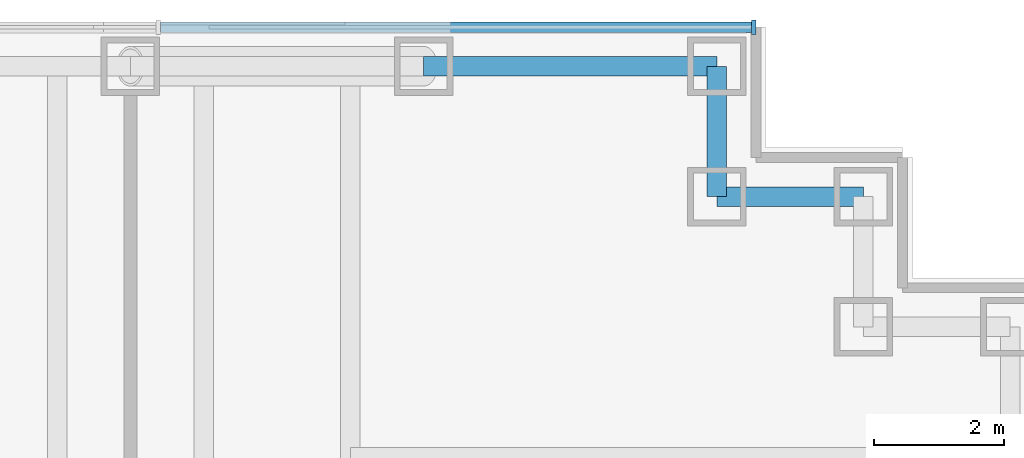
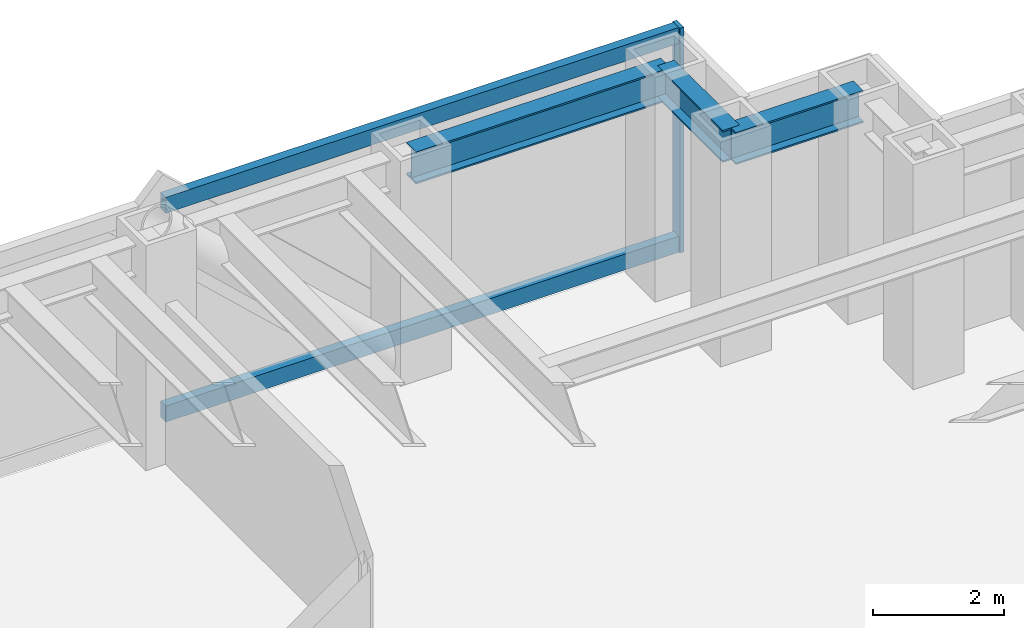
# One storey, part 9 of 17: 3 beams, 3 members, 1 element without a shape of its own.
"""IFC4 building model written with IfcOpenShell, lengths in metres."""

from ifc_helpers import new_model, si_unit, direction, frame, origin, origin_2d, place, context, subcontext, project, spatial, rectangle, i_section, extrude, material, material_profile, profile_set, type_object, element, aggregate, save


model = new_model("IFC4")

# Units and contexts
model_context = context("Model", 3, precision=1e-05, world=origin(), true_north=direction((0.0, 1.0)))
body_context = subcontext(model_context, "Body", "Model", "MODEL_VIEW")
ifc_project = project(units=[si_unit("LENGTHUNIT", "METRE"), si_unit("AREAUNIT", "SQUARE_METRE"), si_unit("VOLUMEUNIT", "CUBIC_METRE"), si_unit("PLANEANGLEUNIT", "RADIAN"), si_unit("MASSUNIT", "GRAM", prefix="KILO")], contexts=[model_context])

# Site, building, storey
site_placement = place(None, origin())
site = spatial("IfcSite", under=ifc_project, at=site_placement, CompositionType="ELEMENT")
building_placement = place(site_placement, origin())
building = spatial("IfcBuilding", under=site, at=building_placement, Name="Rheinbord Bourse Tower", CompositionType="ELEMENT")
storey_placement = place(building_placement, frame((0.0, 0.0, 190.0)))
storey = spatial("IfcBuildingStorey", under=building, at=storey_placement, Name="L42", CompositionType="ELEMENT", Elevation=190.0)

# Curtain wall, members
ifc_material_1 = material(Name="Dark glass and black aluminium", Category="aluminium")
curtain_wall_type = type_object("IfcCurtainWallType", Name="CW2 DARK GLASS CURTAIN WALL", PredefinedType="USERDEFINED", material=ifc_material_1)
curtain_wall_placement = place(storey_placement, origin())
curtain_wall = element("IfcCurtainWall", 1, at=curtain_wall_placement, inside=storey, type_object=curtain_wall_type, Name="Curtain wall CW2 N L42", ObjectType="UNITISED CURTAIN WALL", PredefinedType="USERDEFINED")
ifc_material_2 = material(Name="Black anodised aluminium", Category="aluminium")
ifc_material_profile_1 = material_profile(ifc_material_2, rectangle(XDim=0.219970703125, YDim=0.070068359375, at=origin_2d()), Name="CW2 MULLION 70x220")
ifc_profile_set_1 = profile_set([ifc_material_profile_1], Name="Black anodised aluminium")
member_type_1 = type_object("IfcMemberType", Name="CW2 BLACK MULLION", PredefinedType="MULLION", material=ifc_profile_set_1)
member_1_placement = place(storey_placement, frame((68.06494140625, 44.60009765625, 0.0), z_axis=(0.0, 0.0, 1.0), x_axis=(0.0, -1.0, 0.0)))
member_1 = element("IfcMember", 2, at=member_1_placement, type_object=member_type_1, Name="CW2 mullion 1", PredefinedType="MULLION", context=body_context, shape_type="SweptSolid", body=[
    extrude(rectangle(XDim=0.219970703125, YDim=0.070068359375, at=origin_2d()), origin(), (0.0, 0.0, 1.0), 4.199951171875),
])
ifc_material_3 = material(Name="Black anodised aluminium", Category="aluminium")
ifc_material_profile_2 = material_profile(ifc_material_3, rectangle(XDim=0.159912109375, YDim=0.300048828125, at=origin_2d()), Name="CW2 TRANSOM 300x160")
ifc_profile_set_2 = profile_set([ifc_material_profile_2], Name="Black anodised aluminium")
member_type_2 = type_object("IfcMemberType", Name="CW2 BLACK TRANSOM", PredefinedType="USERDEFINED", material=ifc_profile_set_2)
member_2_placement = place(storey_placement, frame((68.030029296875, 44.60009765625, 0.14990234375), z_axis=(-1.0, 0.0, 0.0), x_axis=(0.0, -1.0, 0.0)))
member_2 = element("IfcMember", 3, at=member_2_placement, type_object=member_type_2, Name="CW2 transom 1.1", ObjectType="TRANSOM", PredefinedType="USERDEFINED", context=body_context, shape_type="SweptSolid", body=[
    extrude(rectangle(XDim=0.159912109375, YDim=0.300048828125, at=origin_2d()), origin(), (0.0, 0.0, 1.0), 9.06640625),
])
member_3_placement = place(storey_placement, frame((68.030029296875, 44.60009765625, 4.050048828125), z_axis=(-1.0, 0.0, 0.0), x_axis=(0.0, -1.0, 0.0)))
member_3 = element("IfcMember", 4, at=member_3_placement, type_object=member_type_2, Name="CW2 transom 1.2", ObjectType="TRANSOM", PredefinedType="USERDEFINED", context=body_context, shape_type="SweptSolid", body=[
    extrude(rectangle(XDim=0.159912109375, YDim=0.300048828125, at=origin_2d()), origin(), (0.0, 0.0, 1.0), 9.06640625),
])
aggregate(curtain_wall, [member_1, member_2, member_3])

# Beams
ifc_material_4 = material(Name="Steel S460", Category="steel")
ifc_material_profile_3 = material_profile(ifc_material_4, i_section(OverallWidth=0.300048828125, OverallDepth=0.60009765625, WebThickness=0.015380859375, FlangeThickness=0.030029296875, at=origin_2d()), Name="HEB 600")
ifc_profile_set_3 = profile_set([ifc_material_profile_3], Name="Steel S460")
beam_type = type_object("IfcBeamType", Name="SPANDREL HEB 600", PredefinedType="SPANDREL", material=ifc_profile_set_3)
beam_1_placement = place(storey_placement, frame((69.75, 42.0, 3.739990234375), z_axis=(-1.0, 0.0, 0.0), x_axis=(0.0, -1.0, 0.0)))
element("IfcBeam", 5, at=beam_1_placement, inside=storey, type_object=beam_type, Name="Spandrel NE-C-NE-D under L43", PredefinedType="SPANDREL", context=body_context, shape_type="SweptSolid", body=[
    extrude(i_section(OverallWidth=0.300048828125, OverallDepth=0.60009765625, WebThickness=0.015380859375, FlangeThickness=0.030029296875, at=origin_2d()), origin(), (0.0, 0.0, 1.0), 2.25),
])
beam_2_placement = place(storey_placement, frame((67.5, 42.0, 3.739990234375), z_axis=(0.0, 1.0, 0.0), x_axis=(-1.0, 0.0, 0.0)))
element("IfcBeam", 6, at=beam_2_placement, inside=storey, type_object=beam_type, Name="Spandrel NE-D-NE-E under L43", PredefinedType="SPANDREL", context=body_context, shape_type="SweptSolid", body=[
    extrude(i_section(OverallWidth=0.300048828125, OverallDepth=0.60009765625, WebThickness=0.015380859375, FlangeThickness=0.030029296875, at=origin_2d()), origin(), (0.0, 0.0, 1.0), 2.0),
])
beam_3_placement = place(storey_placement, frame((67.5, 44.0, 3.739990234375), z_axis=(-1.0, 0.0, 0.0), x_axis=(0.0, -1.0, 0.0)))
element("IfcBeam", 7, at=beam_3_placement, inside=storey, type_object=beam_type, Name="Spandrel NE-E-N-63 under L43", PredefinedType="SPANDREL", context=body_context, shape_type="SweptSolid", body=[
    extrude(i_section(OverallWidth=0.300048828125, OverallDepth=0.60009765625, WebThickness=0.015380859375, FlangeThickness=0.030029296875, at=origin_2d()), origin(), (0.0, 0.0, 1.0), 4.5),
])

save(model, "model.ifc")
